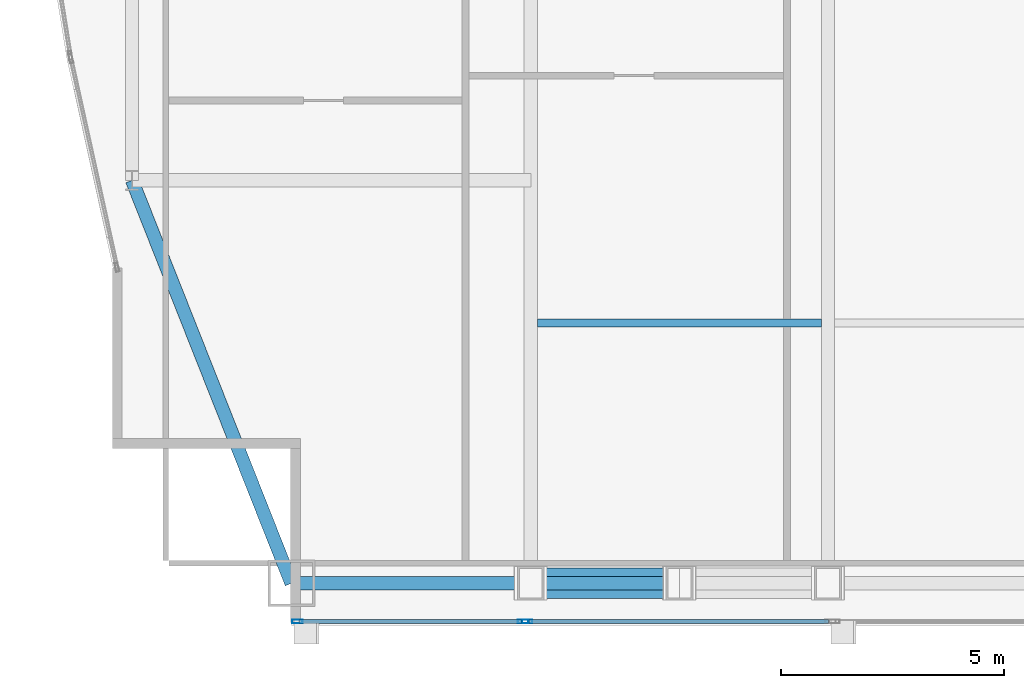
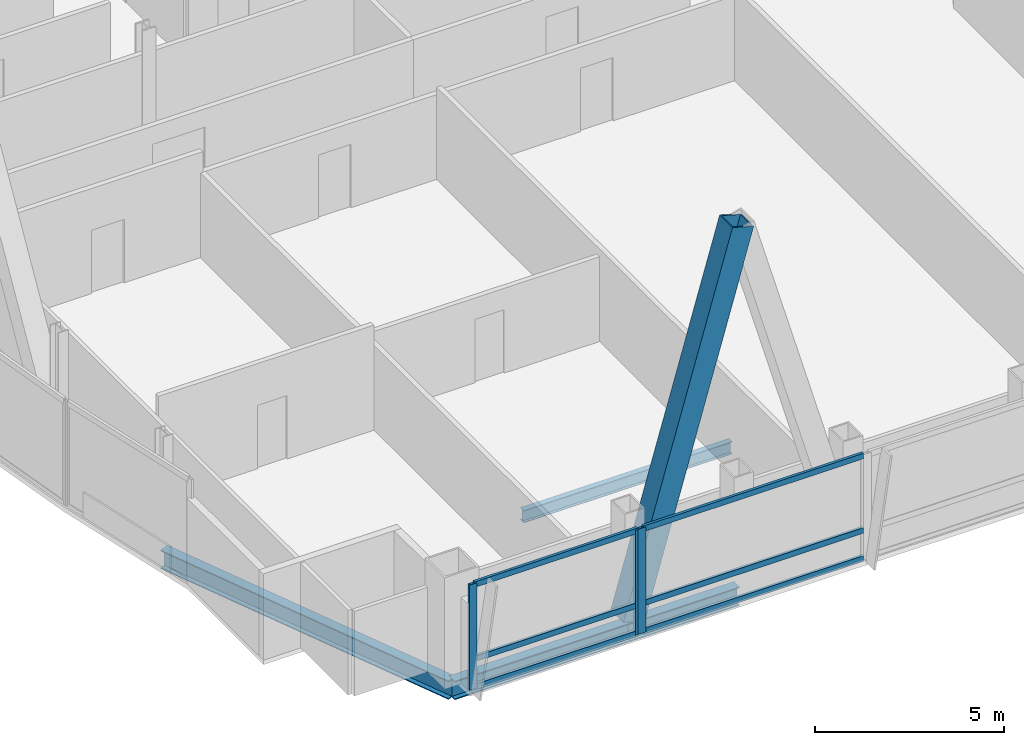
# One storey, part 5 of 31: 10 members, 4 beams, 2 elements without a shape of their own.
"""IFC4 building model written with IfcOpenShell, lengths in metres."""

from ifc_helpers import new_model, si_unit, direction, frame, origin, origin_2d, place, context, subcontext, project, spatial, hollow_rectangle, i_section, extrude, material, material_profile, profile_set, type_object, element, aggregate, save


model = new_model("IFC4")

# Units and contexts
model_context = context("Model", 3, precision=1e-05, world=origin(), true_north=direction((0.0, 1.0)))
body_context = subcontext(model_context, "Body", "Model", "MODEL_VIEW")
ifc_project = project(units=[si_unit("LENGTHUNIT", "METRE"), si_unit("AREAUNIT", "SQUARE_METRE"), si_unit("VOLUMEUNIT", "CUBIC_METRE"), si_unit("PLANEANGLEUNIT", "RADIAN"), si_unit("MASSUNIT", "GRAM", prefix="KILO")], contexts=[model_context])

# Site, building, storey
site_placement = place(None, origin())
site = spatial("IfcSite", under=ifc_project, at=site_placement, CompositionType="ELEMENT")
building_placement = place(site_placement, origin())
building = spatial("IfcBuilding", under=site, at=building_placement, Name="Khoronbel Lancet Exchange", CompositionType="ELEMENT")
storey_placement = place(building_placement, frame((0.0, 0.0, 261.800048828125)))
storey = spatial("IfcBuildingStorey", under=building, at=storey_placement, Name="L67", CompositionType="ELEMENT", Elevation=261.800048828125)

# Beams
ifc_material_1 = material(Name="Steel S355", Category="steel")
ifc_material_profile_1 = material_profile(ifc_material_1, i_section(OverallWidth=0.179931640625, OverallDepth=0.39990234375, WebThickness=0.008544921875, FlangeThickness=0.013427734375, at=origin_2d()), Name="IPE 400")
ifc_profile_set_1 = profile_set([ifc_material_profile_1], Name="Steel S355")
beam_type_1 = type_object("IfcBeamType", Name="BM-BJ5", PredefinedType="JOIST", material=ifc_profile_set_1)
beam_1_placement = place(storey_placement, frame((18.375, 16.0, -0.360107421875), z_axis=(1.0, 0.0, 0.0), x_axis=(0.0, 1.0, 0.0)))
element("IfcBeam", 1, at=beam_1_placement, inside=storey, type_object=beam_type_1, Name="Level L67 secondary composite joist J01", PredefinedType="JOIST", context=body_context, shape_type="SweptSolid", body=[
    extrude(i_section(OverallWidth=0.179931640625, OverallDepth=0.39990234375, WebThickness=0.008544921875, FlangeThickness=0.013427734375, at=origin_2d()), origin(), (0.0, 0.0, 1.0), 6.375),
])
ifc_material_profile_2 = material_profile(ifc_material_1, i_section(OverallWidth=0.300048828125, OverallDepth=0.60009765625, WebThickness=0.015380859375, FlangeThickness=0.030029296875, at=origin_2d()), Name="HEB 600")
ifc_profile_set_2 = profile_set([ifc_material_profile_2], Name="Steel S355")
beam_type_2 = type_object("IfcBeamType", Name="BM-BSP2", PredefinedType="SPANDREL", material=ifc_profile_set_2)
beam_2_placement = place(storey_placement, frame((12.85009765625, 10.14990234375, -0.4599609375), z_axis=(1.0, 0.0, 0.0), x_axis=(0.0, 1.0, 0.0)))
element("IfcBeam", 2, at=beam_2_placement, inside=storey, type_object=beam_type_2, Name="Level L67 perimeter spandrel beam SP01", PredefinedType="SPANDREL", context=body_context, shape_type="SweptSolid", body=[
    extrude(i_section(OverallWidth=0.300048828125, OverallDepth=0.60009765625, WebThickness=0.015380859375, FlangeThickness=0.030029296875, at=origin_2d()), origin(), (0.0, 0.0, 1.0), 5.375),
])
beam_3_placement = place(storey_placement, frame((18.22509765625, 10.14990234375, -0.4599609375), z_axis=(1.0, 0.0, 0.0), x_axis=(0.0, 1.0, 0.0)))
element("IfcBeam", 3, at=beam_3_placement, inside=storey, type_object=beam_type_2, Name="Level L67 perimeter spandrel beam SP02", PredefinedType="SPANDREL", context=body_context, shape_type="SweptSolid", body=[
    extrude(i_section(OverallWidth=0.300048828125, OverallDepth=0.60009765625, WebThickness=0.015380859375, FlangeThickness=0.030029296875, at=origin_2d()), origin(), (0.0, 0.0, 1.0), 3.33740234375),
])
beam_4_placement = place(storey_placement, frame((9.27001953125, 19.199951171875, -0.4599609375), z_axis=(0.367850095026, -0.92988510451, 0.0), x_axis=(0.92988510451, 0.367850095026, 0.0)))
element("IfcBeam", 4, at=beam_4_placement, inside=storey, type_object=beam_type_2, Name="Level L67 perimeter spandrel beam SP21", PredefinedType="SPANDREL", context=body_context, shape_type="SweptSolid", body=[
    extrude(i_section(OverallWidth=0.300048828125, OverallDepth=0.60009765625, WebThickness=0.015380859375, FlangeThickness=0.030029296875, at=origin_2d()), origin(), (0.0, 0.0, 1.0), 9.732421875),
])

# Curtain wall, members
ifc_material_2 = material(Name="Low-E Solar Control Insulating Glass", Category="glass")
curtain_wall_type = type_object("IfcCurtainWallType", Name="CW-3", PredefinedType="NOTDEFINED", material=ifc_material_2)
curtain_wall_1_placement = place(storey_placement, origin())
curtain_wall_1 = element("IfcCurtainWall", 5, at=curtain_wall_1_placement, inside=storey, type_object=curtain_wall_type, Name="Unitised curtain wall CW-L67-SWV", PredefinedType="NOTDEFINED")
ifc_material_3 = material(Name="Bronze-Anodised Aluminium 6063-T6", Category="aluminium")
ifc_material_profile_3 = material_profile(ifc_material_3, hollow_rectangle(XDim=0.0849609375, YDim=0.239990234375, WallThickness=0.006103515625, at=origin_2d()), Name="ALU MULLION 85x240")
ifc_profile_set_3 = profile_set([ifc_material_profile_3], Name="Bronze-Anodised Aluminium 6063-T6")
member_type_1 = type_object("IfcMemberType", Name="MEM-CWM1", PredefinedType="MULLION", material=ifc_profile_set_3)
member_1_placement = place(storey_placement, frame((12.982421875, 9.2900390625, 0.0), z_axis=(0.0, 0.0, 1.0), x_axis=(0.0, 1.0, 0.0)))
member_1 = element("IfcMember", 6, at=member_1_placement, type_object=member_type_1, Name="CW3 mullion 1", PredefinedType="MULLION", context=body_context, shape_type="SweptSolid", body=[
    extrude(hollow_rectangle(XDim=0.0849609375, YDim=0.239990234375, WallThickness=0.006103515625, at=origin_2d()), origin(), (0.0, 0.0, 1.0), 3.39990234375),
])
member_2_placement = place(storey_placement, frame((18.0576171875, 9.2900390625, 0.0), z_axis=(0.0, 0.0, 1.0), x_axis=(0.0, 1.0, 0.0)))
member_2 = element("IfcMember", 7, at=member_2_placement, type_object=member_type_1, Name="CW3 mullion 2", PredefinedType="MULLION", context=body_context, shape_type="SweptSolid", body=[
    extrude(hollow_rectangle(XDim=0.0849609375, YDim=0.239990234375, WallThickness=0.006103515625, at=origin_2d()), origin(), (0.0, 0.0, 1.0), 3.39990234375),
])

# Curtain wall, member
curtain_wall_2_placement = place(storey_placement, origin())
curtain_wall_2 = element("IfcCurtainWall", 8, at=curtain_wall_2_placement, inside=storey, type_object=curtain_wall_type, Name="Unitised curtain wall CW-L67-SWB", PredefinedType="NOTDEFINED")
member_3_placement = place(storey_placement, frame((18.142578125, 9.2900390625, 0.0), z_axis=(0.0, 0.0, 1.0), x_axis=(0.0, 1.0, 0.0)))
member_3 = element("IfcMember", 9, at=member_3_placement, type_object=member_type_1, Name="CW3 mullion 1", PredefinedType="MULLION", context=body_context, shape_type="SweptSolid", body=[
    extrude(hollow_rectangle(XDim=0.0849609375, YDim=0.239990234375, WallThickness=0.006103515625, at=origin_2d()), origin(), (0.0, 0.0, 1.0), 3.39990234375),
])

# Member
ifc_material_profile_4 = material_profile(ifc_material_3, hollow_rectangle(XDim=0.0849609375, YDim=0.179931640625, WallThickness=0.0048828125, at=origin_2d()), Name="ALU TRANSOM 85x180")
ifc_profile_set_4 = profile_set([ifc_material_profile_4], Name="Bronze-Anodised Aluminium 6063-T6")
member_type_2 = type_object("IfcMemberType", Name="MEM-CWT1", PredefinedType="USERDEFINED", material=ifc_profile_set_4)
member_4_placement = place(storey_placement, frame((13.02490234375, 9.2900390625, 0.04248046875), z_axis=(1.0, 0.0, 0.0), x_axis=(0.0, 1.0, 0.0)))
member_4 = element("IfcMember", 10, at=member_4_placement, type_object=member_type_2, Name="CW3 transom 1.1", ObjectType="TRANSOM", PredefinedType="USERDEFINED", context=body_context, shape_type="SweptSolid", body=[
    extrude(hollow_rectangle(XDim=0.0849609375, YDim=0.179931640625, WallThickness=0.0048828125, at=origin_2d()), origin(), (0.0, 0.0, 1.0), 4.989990234375),
])

member_5_placement = place(storey_placement, frame((13.02490234375, 9.2900390625, 0.949951171875), z_axis=(1.0, 0.0, 0.0), x_axis=(0.0, 1.0, 0.0)))
member_5 = element("IfcMember", 11, at=member_5_placement, type_object=member_type_2, Name="CW3 transom 1.2", ObjectType="TRANSOM", PredefinedType="USERDEFINED", context=body_context, shape_type="SweptSolid", body=[
    extrude(hollow_rectangle(XDim=0.0849609375, YDim=0.179931640625, WallThickness=0.0048828125, at=origin_2d()), origin(), (0.0, 0.0, 1.0), 4.989990234375),
])

member_6_placement = place(storey_placement, frame((13.02490234375, 9.2900390625, 3.357421875), z_axis=(1.0, 0.0, 0.0), x_axis=(0.0, 1.0, 0.0)))
member_6 = element("IfcMember", 12, at=member_6_placement, type_object=member_type_2, Name="CW3 transom 1.3", ObjectType="TRANSOM", PredefinedType="USERDEFINED", context=body_context, shape_type="SweptSolid", body=[
    extrude(hollow_rectangle(XDim=0.0849609375, YDim=0.179931640625, WallThickness=0.0048828125, at=origin_2d()), origin(), (0.0, 0.0, 1.0), 4.989990234375),
])

aggregate(curtain_wall_1, [member_1, member_2, member_4, member_5, member_6])

member_7_placement = place(storey_placement, frame((18.18505859375, 9.2900390625, 0.04248046875), z_axis=(1.0, 0.0, 0.0), x_axis=(0.0, 1.0, 0.0)))
member_7 = element("IfcMember", 13, at=member_7_placement, type_object=member_type_2, Name="CW3 transom 1.1", ObjectType="TRANSOM", PredefinedType="USERDEFINED", context=body_context, shape_type="SweptSolid", body=[
    extrude(hollow_rectangle(XDim=0.0849609375, YDim=0.179931640625, WallThickness=0.0048828125, at=origin_2d()), origin(), (0.0, 0.0, 1.0), 6.72998046875),
])

member_8_placement = place(storey_placement, frame((18.18505859375, 9.2900390625, 0.949951171875), z_axis=(1.0, 0.0, 0.0), x_axis=(0.0, 1.0, 0.0)))
member_8 = element("IfcMember", 14, at=member_8_placement, type_object=member_type_2, Name="CW3 transom 1.2", ObjectType="TRANSOM", PredefinedType="USERDEFINED", context=body_context, shape_type="SweptSolid", body=[
    extrude(hollow_rectangle(XDim=0.0849609375, YDim=0.179931640625, WallThickness=0.0048828125, at=origin_2d()), origin(), (0.0, 0.0, 1.0), 6.72998046875),
])

member_9_placement = place(storey_placement, frame((18.18505859375, 9.2900390625, 3.357421875), z_axis=(1.0, 0.0, 0.0), x_axis=(0.0, 1.0, 0.0)))
member_9 = element("IfcMember", 15, at=member_9_placement, type_object=member_type_2, Name="CW3 transom 1.3", ObjectType="TRANSOM", PredefinedType="USERDEFINED", context=body_context, shape_type="SweptSolid", body=[
    extrude(hollow_rectangle(XDim=0.0849609375, YDim=0.179931640625, WallThickness=0.0048828125, at=origin_2d()), origin(), (0.0, 0.0, 1.0), 6.72998046875),
])

aggregate(curtain_wall_2, [member_3, member_7, member_8, member_9])

ifc_material_4 = material(Name="Steel S460", Category="steel")
ifc_material_profile_5 = material_profile(ifc_material_4, hollow_rectangle(XDim=0.679931640625, YDim=0.679931640625, WallThickness=0.044921875, at=origin_2d()), Name="BOX 680x680x45")
ifc_profile_set_5 = profile_set([ifc_material_profile_5], Name="Steel S460")
member_type_3 = type_object("IfcMemberType", Name="MEM-MB3", PredefinedType="BRACE", material=ifc_profile_set_5)
member_10_placement = place(storey_placement, frame((18.22509765625, 10.14990234375, 0.0), z_axis=(0.276494474889, 0.0, 0.961015507344), x_axis=(0.0, 1.0, 0.0)))
element("IfcMember", 16, at=member_10_placement, inside=storey, type_object=member_type_3, Name="Perimeter lancet brace tier 23 S-W-L", PredefinedType="BRACE", context=body_context, shape_type="SweptSolid", body=[
    extrude(hollow_rectangle(XDim=0.679931640625, YDim=0.679931640625, WallThickness=0.044921875, at=origin_2d()), origin(), (0.0, 0.0, 1.0), 12.0703125),
])

save(model, "model.ifc")
